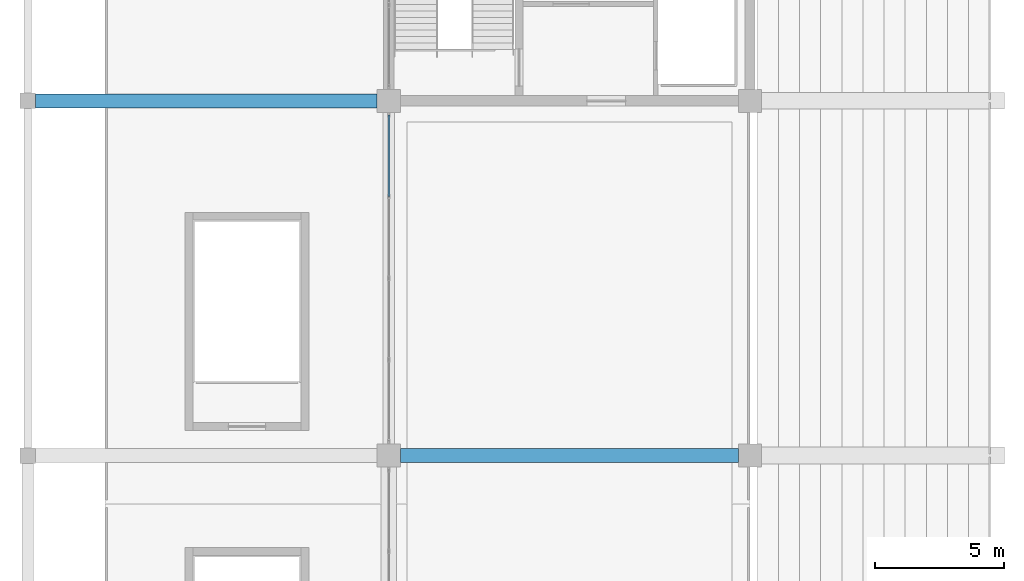
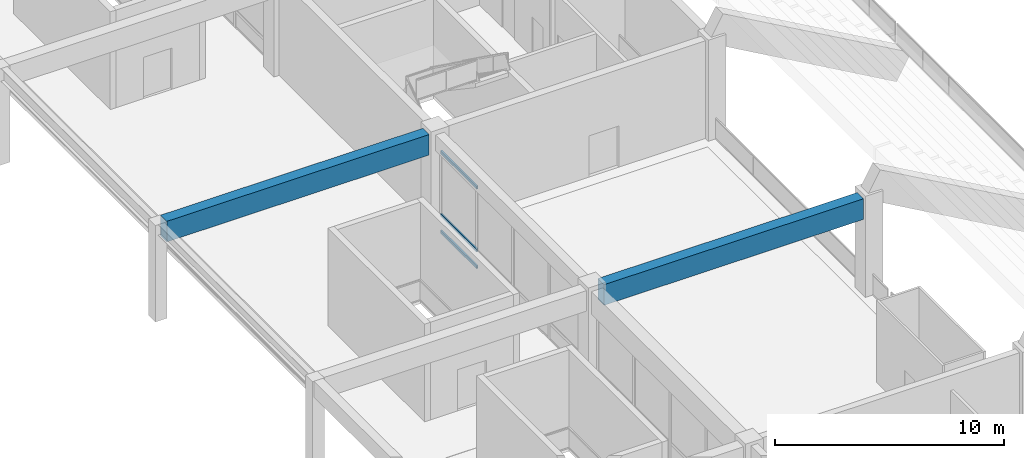
# One storey, part 27 of 90: 3 members, 2 beams, 1 element without a shape of its own.
"""IFC4 building model written with IfcOpenShell, lengths in metres."""

import ifcopenshell
import ifcopenshell.guid

model = None  # the IFC model being written
_history = None  # IfcOwnerHistory: only IFC2X3 demands one
_inside = {}  # id of a spatial element -> (the spatial element, [elements in it])
_under = {}  # id of a project, library or spatial element -> (it, [spatial elements below it])
_declared = {}  # id of a project -> (the project, [libraries it declares])
_typed = {}  # id of a type object -> (the type object, [elements of that type])
_made_of = {}  # id of a material, layer set ... -> (it, [elements and type objects made of it])


def new_model(schema):
    """Start an empty IFC model of exactly this schema.

    Asked for "IFC4X3", IfcOpenShell would pick the latest addendum, in which some entities
    have other attributes; the version numbers below select the first issue.
    IFC2X3 requires an IfcOwnerHistory on every rooted entity: one is made here for all.
    """
    global model, _history
    if schema == "IFC4X3":
        model = ifcopenshell.file(schema_version=(4, 3, 0, 0))
    else:
        model = ifcopenshell.file(schema=schema)
    _inside.clear()
    _under.clear()
    _declared.clear()
    _typed.clear()
    _made_of.clear()
    _history = None
    if model.schema == "IFC2X3":
        org = make("IfcOrganization", Name="unknown")
        user = make(
            "IfcPersonAndOrganization",
            ThePerson=make("IfcPerson", FamilyName="unknown"),
            TheOrganization=org,
        )
        app = make(
            "IfcApplication",
            ApplicationDeveloper=org,
            Version="unknown",
            ApplicationFullName="unknown",
            ApplicationIdentifier="unknown",
        )
        _history = make(
            "IfcOwnerHistory",
            OwningUser=user,
            OwningApplication=app,
            ChangeAction="ADDED",
            CreationDate=0,
        )
    return model


def make(cls, **values):
    """One entity of the class cls with the attributes given. An attribute that is None is left unset."""
    return model.create_entity(
        cls, **{name: value for name, value in values.items() if value is not None}
    )


def rooted(cls, **values):
    """An entity with a GlobalId (a new one), such as an element, a storey or a relation."""
    return make(cls, GlobalId=ifcopenshell.guid.new(), OwnerHistory=_history, **values)


def si_unit(unit_type, name, prefix=None):
    """IfcSIUnit, for example si_unit("LENGTHUNIT", "METRE", prefix="MILLI")."""
    return make("IfcSIUnit", UnitType=unit_type, Prefix=prefix, Name=name)


def assignment(units):
    """IfcUnitAssignment: the units of a project."""
    return None if units is None else make("IfcUnitAssignment", Units=units)


def point(xyz):
    """IfcCartesianPoint."""
    return None if xyz is None else make("IfcCartesianPoint", Coordinates=xyz)


def direction(xyz):
    """IfcDirection."""
    return None if xyz is None else make("IfcDirection", DirectionRatios=xyz)


def frame(location, z_axis=None, x_axis=None):
    """IfcAxis2Placement3D, a coordinate frame: its origin and axes. An axis left out is left unset."""
    return make(
        "IfcAxis2Placement3D",
        Location=point(location),
        Axis=direction(z_axis),
        RefDirection=direction(x_axis),
    )


def frame_2d(location, x_axis=None):
    """IfcAxis2Placement2D, a coordinate frame in the plane: its origin and x axis."""
    return make(
        "IfcAxis2Placement2D", Location=point(location), RefDirection=direction(x_axis)
    )


def origin():
    """The frame at (0, 0, 0) with its axes left unset."""
    return frame((0.0, 0.0, 0.0))


def origin_2d():
    """The frame at (0, 0) in the plane with its x axis left unset."""
    return frame_2d((0.0, 0.0))


def place(relative_to, where):
    """IfcLocalPlacement: puts the frame where relative to a parent placement (None: the world)."""
    return make(
        "IfcLocalPlacement", PlacementRelTo=relative_to, RelativePlacement=where
    )


def context(
    kind, dimensions, precision=None, world=None, true_north=None, identifier=None
):
    """IfcGeometricRepresentationContext, for example the 3D "Model" context."""
    return make(
        "IfcGeometricRepresentationContext",
        ContextIdentifier=identifier,
        ContextType=kind,
        CoordinateSpaceDimension=dimensions,
        Precision=precision,
        WorldCoordinateSystem=world,
        TrueNorth=true_north,
    )


def subcontext(parent, identifier, kind, view, scale=None):
    """IfcGeometricRepresentationSubContext, for example "Body" below "Model"."""
    return make(
        "IfcGeometricRepresentationSubContext",
        ContextIdentifier=identifier,
        ContextType=kind,
        ParentContext=parent,
        TargetScale=scale,
        TargetView=view,
    )


def project(units=None, contexts=None):
    """IfcProject with its units and contexts."""
    return rooted(
        "IfcProject",
        Name="project",
        RepresentationContexts=contexts,
        UnitsInContext=assignment(units),
    )


def spatial(cls, under=None, at=None, **own):
    """A site, building, storey or space (cls), placed at a placement, below another one or the project."""
    s = rooted(cls, ObjectPlacement=at, **own)
    if under is not None:
        _under.setdefault(under.id(), (under, []))[1].append(s)
    return s


def profile(cls, at=None, kind="AREA", **sizes):
    """A parametric profile (cls). Its sizes go by their IFC names, for example OverallWidth=200.0."""
    return make(cls, ProfileType=kind, Position=at, **sizes)


def rectangle(**sizes):
    """IfcRectangleProfileDef."""
    return profile("IfcRectangleProfileDef", **sizes)


def hollow_rectangle(**sizes):
    """IfcRectangleHollowProfileDef."""
    return profile("IfcRectangleHollowProfileDef", **sizes)


def extrude(swept, where, along, depth):
    """IfcExtrudedAreaSolid: the profile swept, set in the frame where, extruded along a direction by depth."""
    return make(
        "IfcExtrudedAreaSolid",
        SweptArea=swept,
        Position=where,
        ExtrudedDirection=direction(along),
        Depth=depth,
    )


def shape(context_of_items, identifier, shape_type, items):
    """IfcShapeRepresentation: the items that make up one representation, for example the "Body"."""
    return make(
        "IfcShapeRepresentation",
        ContextOfItems=context_of_items,
        RepresentationIdentifier=identifier,
        RepresentationType=shape_type,
        Items=items,
    )


def material(Name=None, Category=None):
    """IfcMaterial."""
    return make("IfcMaterial", Name=Name, Category=Category)


def material_profile(
    of_material, cross_section, Name=None, Category=None, Priority=None
):
    """IfcMaterialProfile: a cross section and its material."""
    return make(
        "IfcMaterialProfile",
        Name=Name,
        Material=of_material,
        Profile=cross_section,
        Priority=Priority,
        Category=Category,
    )


def profile_set(profiles, Name=None, composite=None):
    """IfcMaterialProfileSet."""
    return make(
        "IfcMaterialProfileSet",
        Name=Name,
        MaterialProfiles=profiles,
        CompositeProfile=composite,
    )


def made_of(thing, what):
    """Note that an element or type object is made of a material, layer set ...; save() writes the relation."""
    if what is not None:
        _made_of.setdefault(what.id(), (what, []))[1].append(thing)
    return thing


def type_object(cls, material=None, **own):
    """A type object (cls), such as IfcWallType, which elements share."""
    return made_of(rooted(cls, **own), material)


def element(
    cls,
    number,
    at=None,
    inside=None,
    cuts=None,
    type_object=None,
    material=None,
    context=None,
    identifier="Body",
    shape_type=None,
    held_by="IfcProductDefinitionShape",
    body=None,
    shapes=None,
    **own,
):
    """One element of the class cls, such as IfcWall. Its Tag is "e" and its number.

    at: its placement. inside: the storey or other place that contains it. cuts: it is an
    opening in that element (IfcRelVoidsElement). A single representation is given by context,
    identifier, shape_type and body (its items); several are given by shapes. held_by: the class
    of the entity that holds the representations. save() writes the other relations.
    """
    e = rooted(cls, Tag="e%d" % number, ObjectPlacement=at, **own)
    if body is not None:
        shapes = [shape(context, identifier, shape_type, body)]
    if shapes is not None:
        e.Representation = make(held_by, Representations=shapes)
    if inside is not None:
        _inside.setdefault(inside.id(), (inside, []))[1].append(e)
    if cuts is not None:
        rooted(
            "IfcRelVoidsElement", RelatingBuildingElement=cuts, RelatedOpeningElement=e
        )
    if type_object is not None:
        _typed.setdefault(type_object.id(), (type_object, []))[1].append(e)
    return made_of(e, material)


def aggregate(whole, parts):
    """IfcRelAggregates: a whole, such as a stair, and the parts it consists of."""
    return rooted("IfcRelAggregates", RelatingObject=whole, RelatedObjects=parts)


def save(model, path):
    """Write the relations noted so far, then the file.

    IfcRelAggregates (storeys below a building ...), IfcRelContainedInSpatialStructure (elements
    in a storey), IfcRelDefinesByType, IfcRelAssociatesMaterial and IfcRelDeclares: one each for
    every whole, place, type object, material and project.
    """
    for whole, parts in _under.values():
        aggregate(whole, parts)
    for where, things in _inside.values():
        rooted(
            "IfcRelContainedInSpatialStructure",
            RelatedElements=things,
            RelatingStructure=where,
        )
    for kind, things in _typed.values():
        rooted("IfcRelDefinesByType", RelatedObjects=things, RelatingType=kind)
    for what, things in _made_of.values():
        rooted("IfcRelAssociatesMaterial", RelatedObjects=things, RelatingMaterial=what)
    for by, libraries in _declared.values():
        rooted("IfcRelDeclares", RelatingContext=by, RelatedDefinitions=libraries)
    model.write(path)


model = new_model("IFC4")

# Units and contexts
model_context = context("Model", 3, precision=1e-05, world=origin(), true_north=direction((0.0, 1.0)))
body_context = subcontext(model_context, "Body", "Model", "MODEL_VIEW")
ifc_project = project(units=[si_unit("LENGTHUNIT", "METRE"), si_unit("AREAUNIT", "SQUARE_METRE"), si_unit("VOLUMEUNIT", "CUBIC_METRE"), si_unit("PLANEANGLEUNIT", "RADIAN"), si_unit("MASSUNIT", "GRAM", prefix="KILO")], contexts=[model_context])

# Site, building, storey
site_placement = place(None, origin())
site = spatial("IfcSite", under=ifc_project, at=site_placement, CompositionType="ELEMENT")
building_placement = place(site_placement, origin())
building = spatial("IfcBuilding", under=site, at=building_placement, Name="Linyun Crest Stadium", CompositionType="ELEMENT")
storey_placement = place(building_placement, frame((0.0, 0.0, 21.0)))
storey = spatial("IfcBuildingStorey", under=building, at=storey_placement, Name="L05", CompositionType="ELEMENT", Elevation=21.0)

# Beams
ifc_material_1 = material(Name="Concrete C50", Category="concrete")
ifc_material_profile_1 = material_profile(ifc_material_1, rectangle(XDim=0.550048828125, YDim=1.10009765625, at=origin_2d()), Name="RCB 1100x550")
ifc_profile_set_1 = profile_set([ifc_material_profile_1], Name="Concrete C50")
beam_type = type_object("IfcBeamType", Name="TB01", PredefinedType="USERDEFINED", material=ifc_profile_set_1)
beam_1_placement = place(storey_placement, frame((-83.550048828125, -11.625, 4.610107421875), z_axis=(1.0, 0.0, 0.0), x_axis=(0.0, 1.0, 0.0)))
element("IfcBeam", 1, at=beam_1_placement, inside=storey, type_object=beam_type, Name="Frame beam TB01 L05 353", ObjectType="GIRDER", PredefinedType="USERDEFINED", context=body_context, shape_type="SweptSolid", body=[
    extrude(rectangle(XDim=0.550048828125, YDim=1.10009765625, at=origin_2d()), origin(), (0.0, 0.0, 1.0), 13.10009765625),
])
beam_2_placement = place(storey_placement, frame((-97.699951171875, 2.125, 4.610107421875), z_axis=(1.0, 0.0, 0.0), x_axis=(0.0, 1.0, 0.0)))
element("IfcBeam", 2, at=beam_2_placement, inside=storey, type_object=beam_type, Name="Frame beam TB01 L05 354", ObjectType="GIRDER", PredefinedType="USERDEFINED", context=body_context, shape_type="SweptSolid", body=[
    extrude(rectangle(XDim=0.550048828125, YDim=1.10009765625, at=origin_2d()), origin(), (0.0, 0.0, 1.0), 13.25),
])

# Curtain wall, members
ifc_material_2 = material(Name="Verdigris steel and low-E curtain wall assembly", Category="steel")
curtain_wall_type = type_object("IfcCurtainWallType", Name="MCW01", PredefinedType="NOTDEFINED", material=ifc_material_2)
curtain_wall_placement = place(storey_placement, origin())
curtain_wall = element("IfcCurtainWall", 3, at=curtain_wall_placement, inside=storey, type_object=curtain_wall_type, Name="CWR-094", PredefinedType="NOTDEFINED")
ifc_material_3 = material(Name="Aluminium thermally broken transom", Category="aluminium")
ifc_material_profile_2 = material_profile(ifc_material_3, hollow_rectangle(XDim=0.080078125, YDim=0.159912109375, WallThickness=0.006103515625, at=origin_2d()), Name="RHS 160x80x6")
ifc_profile_set_2 = profile_set([ifc_material_profile_2], Name="Aluminium thermally broken transom")
member_type = type_object("IfcMemberType", Name="TR01", PredefinedType="USERDEFINED", material=ifc_profile_set_2)
member_1_placement = place(storey_placement, frame((-84.0, -1.587890625, 0.0), z_axis=(0.0, 1.0, 0.0), x_axis=(-1.0, 0.0, 0.0)))
member_1 = element("IfcMember", 4, at=member_1_placement, type_object=member_type, Name="CWR-094 transom 4.1", ObjectType="TRANSOM", PredefinedType="USERDEFINED", context=body_context, shape_type="SweptSolid", body=[
    extrude(hollow_rectangle(XDim=0.080078125, YDim=0.159912109375, WallThickness=0.006103515625, at=origin_2d()), origin(), (0.0, 0.0, 1.0), 3.162841796875),
])
member_2_placement = place(storey_placement, frame((-84.0, -1.587890625, 0.89990234375), z_axis=(0.0, 1.0, 0.0), x_axis=(-1.0, 0.0, 0.0)))
member_2 = element("IfcMember", 5, at=member_2_placement, type_object=member_type, Name="CWR-094 transom 4.2", ObjectType="TRANSOM", PredefinedType="USERDEFINED", context=body_context, shape_type="SweptSolid", body=[
    extrude(hollow_rectangle(XDim=0.080078125, YDim=0.159912109375, WallThickness=0.006103515625, at=origin_2d()), origin(), (0.0, 0.0, 1.0), 3.162841796875),
])
member_3_placement = place(storey_placement, frame((-84.0, -1.587890625, 4.25), z_axis=(0.0, 1.0, 0.0), x_axis=(-1.0, 0.0, 0.0)))
member_3 = element("IfcMember", 6, at=member_3_placement, type_object=member_type, Name="CWR-094 transom 4.3", ObjectType="TRANSOM", PredefinedType="USERDEFINED", context=body_context, shape_type="SweptSolid", body=[
    extrude(hollow_rectangle(XDim=0.080078125, YDim=0.159912109375, WallThickness=0.006103515625, at=origin_2d()), origin(), (0.0, 0.0, 1.0), 3.162841796875),
])
aggregate(curtain_wall, [member_1, member_2, member_3])

save(model, "model.ifc")
